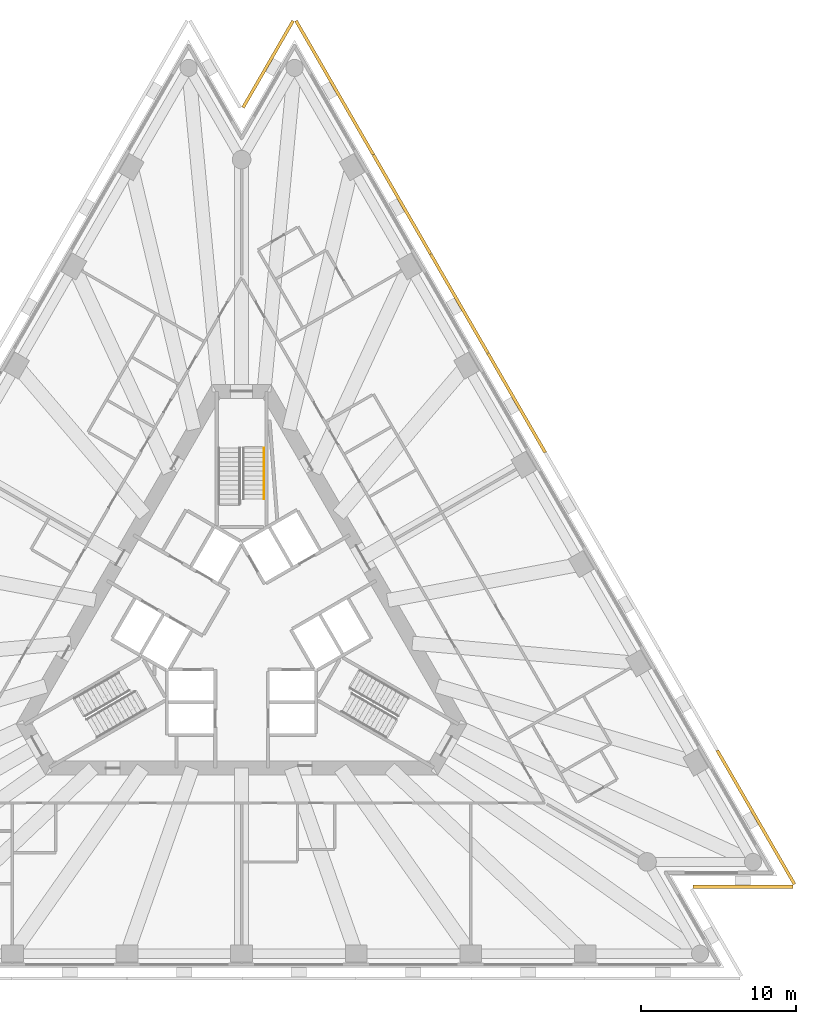
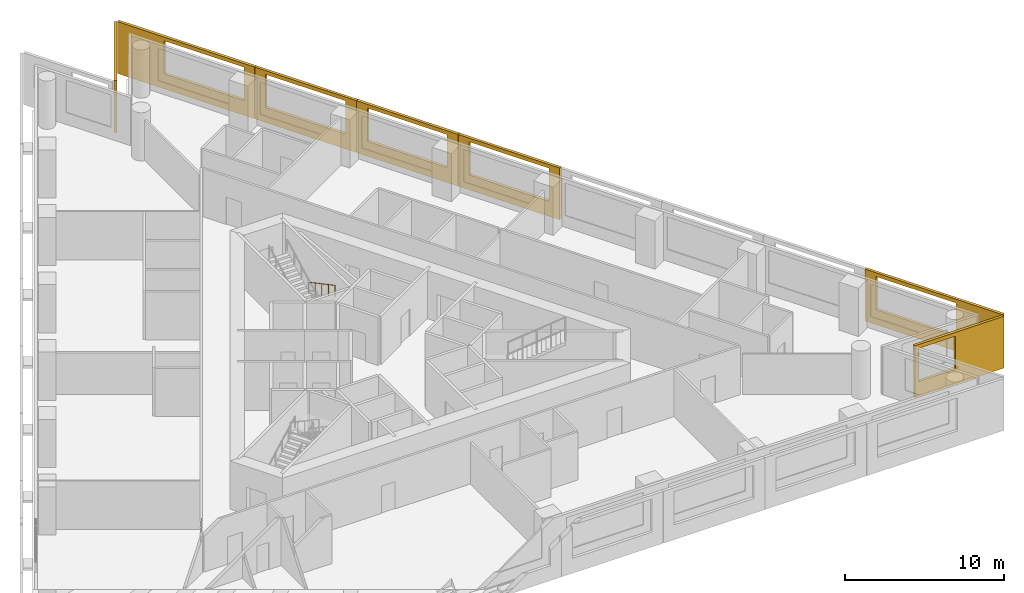
# One storey, part 11 of 11: 7 shading devices, 1 railing, 1 element without a shape of its own.
"""IFC4 building model written with IfcOpenShell, lengths in metres."""

import ifcopenshell
import ifcopenshell.guid

model = None  # the IFC model being written
_history = None  # IfcOwnerHistory: only IFC2X3 demands one
_inside = {}  # id of a spatial element -> (the spatial element, [elements in it])
_under = {}  # id of a project, library or spatial element -> (it, [spatial elements below it])
_declared = {}  # id of a project -> (the project, [libraries it declares])
_typed = {}  # id of a type object -> (the type object, [elements of that type])
_made_of = {}  # id of a material, layer set ... -> (it, [elements and type objects made of it])


def new_model(schema):
    """Start an empty IFC model of exactly this schema.

    Asked for "IFC4X3", IfcOpenShell would pick the latest addendum, in which some entities
    have other attributes; the version numbers below select the first issue.
    IFC2X3 requires an IfcOwnerHistory on every rooted entity: one is made here for all.
    """
    global model, _history
    if schema == "IFC4X3":
        model = ifcopenshell.file(schema_version=(4, 3, 0, 0))
    else:
        model = ifcopenshell.file(schema=schema)
    _inside.clear()
    _under.clear()
    _declared.clear()
    _typed.clear()
    _made_of.clear()
    _history = None
    if model.schema == "IFC2X3":
        org = make("IfcOrganization", Name="unknown")
        user = make(
            "IfcPersonAndOrganization",
            ThePerson=make("IfcPerson", FamilyName="unknown"),
            TheOrganization=org,
        )
        app = make(
            "IfcApplication",
            ApplicationDeveloper=org,
            Version="unknown",
            ApplicationFullName="unknown",
            ApplicationIdentifier="unknown",
        )
        _history = make(
            "IfcOwnerHistory",
            OwningUser=user,
            OwningApplication=app,
            ChangeAction="ADDED",
            CreationDate=0,
        )
    return model


def make(cls, **values):
    """One entity of the class cls with the attributes given. An attribute that is None is left unset."""
    return model.create_entity(
        cls, **{name: value for name, value in values.items() if value is not None}
    )


def rooted(cls, **values):
    """An entity with a GlobalId (a new one), such as an element, a storey or a relation."""
    return make(cls, GlobalId=ifcopenshell.guid.new(), OwnerHistory=_history, **values)


def si_unit(unit_type, name, prefix=None):
    """IfcSIUnit, for example si_unit("LENGTHUNIT", "METRE", prefix="MILLI")."""
    return make("IfcSIUnit", UnitType=unit_type, Prefix=prefix, Name=name)


def assignment(units):
    """IfcUnitAssignment: the units of a project."""
    return None if units is None else make("IfcUnitAssignment", Units=units)


def point(xyz):
    """IfcCartesianPoint."""
    return None if xyz is None else make("IfcCartesianPoint", Coordinates=xyz)


def direction(xyz):
    """IfcDirection."""
    return None if xyz is None else make("IfcDirection", DirectionRatios=xyz)


def frame(location, z_axis=None, x_axis=None):
    """IfcAxis2Placement3D, a coordinate frame: its origin and axes. An axis left out is left unset."""
    return make(
        "IfcAxis2Placement3D",
        Location=point(location),
        Axis=direction(z_axis),
        RefDirection=direction(x_axis),
    )


def frame_2d(location, x_axis=None):
    """IfcAxis2Placement2D, a coordinate frame in the plane: its origin and x axis."""
    return make(
        "IfcAxis2Placement2D", Location=point(location), RefDirection=direction(x_axis)
    )


def origin():
    """The frame at (0, 0, 0) with its axes left unset."""
    return frame((0.0, 0.0, 0.0))


def origin_2d():
    """The frame at (0, 0) in the plane with its x axis left unset."""
    return frame_2d((0.0, 0.0))


def place(relative_to, where):
    """IfcLocalPlacement: puts the frame where relative to a parent placement (None: the world)."""
    return make(
        "IfcLocalPlacement", PlacementRelTo=relative_to, RelativePlacement=where
    )


def context(
    kind, dimensions, precision=None, world=None, true_north=None, identifier=None
):
    """IfcGeometricRepresentationContext, for example the 3D "Model" context."""
    return make(
        "IfcGeometricRepresentationContext",
        ContextIdentifier=identifier,
        ContextType=kind,
        CoordinateSpaceDimension=dimensions,
        Precision=precision,
        WorldCoordinateSystem=world,
        TrueNorth=true_north,
    )


def subcontext(parent, identifier, kind, view, scale=None):
    """IfcGeometricRepresentationSubContext, for example "Body" below "Model"."""
    return make(
        "IfcGeometricRepresentationSubContext",
        ContextIdentifier=identifier,
        ContextType=kind,
        ParentContext=parent,
        TargetScale=scale,
        TargetView=view,
    )


def project(units=None, contexts=None):
    """IfcProject with its units and contexts."""
    return rooted(
        "IfcProject",
        Name="project",
        RepresentationContexts=contexts,
        UnitsInContext=assignment(units),
    )


def spatial(cls, under=None, at=None, **own):
    """A site, building, storey or space (cls), placed at a placement, below another one or the project."""
    s = rooted(cls, ObjectPlacement=at, **own)
    if under is not None:
        _under.setdefault(under.id(), (under, []))[1].append(s)
    return s


def polyline(points):
    """IfcPolyline through the points."""
    return make("IfcPolyline", Points=[point(p) for p in points])


def profile(cls, at=None, kind="AREA", **sizes):
    """A parametric profile (cls). Its sizes go by their IFC names, for example OverallWidth=200.0."""
    return make(cls, ProfileType=kind, Position=at, **sizes)


def circle(**sizes):
    """IfcCircleProfileDef."""
    return profile("IfcCircleProfileDef", **sizes)


def outline(outer, holes=None, kind="AREA"):
    """IfcArbitraryClosedProfileDef: a profile drawn as a closed curve; with holes, ...WithVoids."""
    if holes is None:
        return make("IfcArbitraryClosedProfileDef", ProfileType=kind, OuterCurve=outer)
    return make(
        "IfcArbitraryProfileDefWithVoids",
        ProfileType=kind,
        OuterCurve=outer,
        InnerCurves=holes,
    )


def extrude(swept, where, along, depth):
    """IfcExtrudedAreaSolid: the profile swept, set in the frame where, extruded along a direction by depth."""
    return make(
        "IfcExtrudedAreaSolid",
        SweptArea=swept,
        Position=where,
        ExtrudedDirection=direction(along),
        Depth=depth,
    )


def shape(context_of_items, identifier, shape_type, items):
    """IfcShapeRepresentation: the items that make up one representation, for example the "Body"."""
    return make(
        "IfcShapeRepresentation",
        ContextOfItems=context_of_items,
        RepresentationIdentifier=identifier,
        RepresentationType=shape_type,
        Items=items,
    )


def material(Name=None, Category=None):
    """IfcMaterial."""
    return make("IfcMaterial", Name=Name, Category=Category)


def layer(
    of_material, thickness, ventilated=None, Name=None, Category=None, Priority=None
):
    """IfcMaterialLayer: one layer of a wall or slab, of a material (None: an air gap)."""
    return make(
        "IfcMaterialLayer",
        Material=of_material,
        LayerThickness=thickness,
        IsVentilated=ventilated,
        Name=Name,
        Category=Category,
        Priority=Priority,
    )


def layer_set(layers, Name=None):
    """IfcMaterialLayerSet."""
    return make("IfcMaterialLayerSet", MaterialLayers=layers, LayerSetName=Name)


def made_of(thing, what):
    """Note that an element or type object is made of a material, layer set ...; save() writes the relation."""
    if what is not None:
        _made_of.setdefault(what.id(), (what, []))[1].append(thing)
    return thing


def type_object(cls, material=None, **own):
    """A type object (cls), such as IfcWallType, which elements share."""
    return made_of(rooted(cls, **own), material)


def element(
    cls,
    number,
    at=None,
    inside=None,
    cuts=None,
    type_object=None,
    material=None,
    context=None,
    identifier="Body",
    shape_type=None,
    held_by="IfcProductDefinitionShape",
    body=None,
    shapes=None,
    **own,
):
    """One element of the class cls, such as IfcWall. Its Tag is "e" and its number.

    at: its placement. inside: the storey or other place that contains it. cuts: it is an
    opening in that element (IfcRelVoidsElement). A single representation is given by context,
    identifier, shape_type and body (its items); several are given by shapes. held_by: the class
    of the entity that holds the representations. save() writes the other relations.
    """
    e = rooted(cls, Tag="e%d" % number, ObjectPlacement=at, **own)
    if body is not None:
        shapes = [shape(context, identifier, shape_type, body)]
    if shapes is not None:
        e.Representation = make(held_by, Representations=shapes)
    if inside is not None:
        _inside.setdefault(inside.id(), (inside, []))[1].append(e)
    if cuts is not None:
        rooted(
            "IfcRelVoidsElement", RelatingBuildingElement=cuts, RelatedOpeningElement=e
        )
    if type_object is not None:
        _typed.setdefault(type_object.id(), (type_object, []))[1].append(e)
    return made_of(e, material)


def aggregate(whole, parts):
    """IfcRelAggregates: a whole, such as a stair, and the parts it consists of."""
    return rooted("IfcRelAggregates", RelatingObject=whole, RelatedObjects=parts)


def save(model, path):
    """Write the relations noted so far, then the file.

    IfcRelAggregates (storeys below a building ...), IfcRelContainedInSpatialStructure (elements
    in a storey), IfcRelDefinesByType, IfcRelAssociatesMaterial and IfcRelDeclares: one each for
    every whole, place, type object, material and project.
    """
    for whole, parts in _under.values():
        aggregate(whole, parts)
    for where, things in _inside.values():
        rooted(
            "IfcRelContainedInSpatialStructure",
            RelatedElements=things,
            RelatingStructure=where,
        )
    for kind, things in _typed.values():
        rooted("IfcRelDefinesByType", RelatedObjects=things, RelatingType=kind)
    for what, things in _made_of.values():
        rooted("IfcRelAssociatesMaterial", RelatedObjects=things, RelatingMaterial=what)
    for by, libraries in _declared.values():
        rooted("IfcRelDeclares", RelatingContext=by, RelatedDefinitions=libraries)
    model.write(path)


model = new_model("IFC4")

# Units and contexts
model_context = context("Model", 3, precision=1e-05, world=origin(), true_north=direction((0.0, 1.0)))
body_context = subcontext(model_context, "Body", "Model", "MODEL_VIEW")
ifc_project = project(units=[si_unit("LENGTHUNIT", "METRE"), si_unit("AREAUNIT", "SQUARE_METRE"), si_unit("VOLUMEUNIT", "CUBIC_METRE"), si_unit("PLANEANGLEUNIT", "RADIAN"), si_unit("MASSUNIT", "GRAM", prefix="KILO")], contexts=[model_context])

# Site, building, storey
site_placement = place(None, origin())
site = spatial("IfcSite", under=ifc_project, at=site_placement, CompositionType="ELEMENT")
building_placement = place(site_placement, origin())
building = spatial("IfcBuilding", under=site, at=building_placement, Name="Triada Interchange Tower", CompositionType="ELEMENT")
storey_placement = place(building_placement, frame((0.0, 0.0, 63.300048828125)))
storey = spatial("IfcBuildingStorey", under=building, at=storey_placement, Name="L13", CompositionType="ELEMENT", Elevation=63.300048828125)

# Shading devices
ifc_material_1 = material(Name="Concrete C50/60 precast", Category="concrete")
ifc_layer_1 = layer(ifc_material_1, 0.02001953125, Name="Exposed aggregate face")
ifc_layer_2 = layer(ifc_material_1, 0.179931640625, Name="Precast concrete screen")
ifc_layer_set = layer_set([ifc_layer_1, ifc_layer_2], Name="Outer skin screen panel 3980")
shading_device_type = type_object("IfcShadingDeviceType", Name="Outer skin screen panel 3980", PredefinedType="SHUTTER", material=ifc_layer_set)
shading_device_1_placement = place(storey_placement, frame((29.10498046875, -16.597900390625, -0.2900390625), z_axis=(0.0, 0.0, 1.0), x_axis=(1.0, 0.0, 0.0)))
element("IfcShadingDevice", 1, at=shading_device_1_placement, inside=storey, type_object=shading_device_type, Name="Outer skin screen panel L13 20", PredefinedType="SHUTTER", context=body_context, shape_type="SweptSolid", body=[
    extrude(outline(polyline([(0.0, 0.0), (6.466064453125, 0.0), (6.466064453125, 3.97998046875), (0.0, 3.97998046875), (0.0, 0.0)]), holes=[polyline([(0.300048828125, 1.139892578125), (0.300048828125, 3.68994140625), (2.9580078125, 3.68994140625), (2.9580078125, 1.139892578125), (0.300048828125, 1.139892578125)])]), frame((0.0, 0.0, 0.0), z_axis=(0.0, -1.0, 0.0), x_axis=(1.0, 0.0, 0.0)), (0.0, 0.0, 1.0), 0.199951171875),
])
shading_device_2_placement = place(storey_placement, frame((35.575927734375, -16.589111328125, -0.2900390625), z_axis=(0.0, 0.0, 1.0), x_axis=(-0.500000141972, 0.866025321817, 0.0)))
element("IfcShadingDevice", 2, at=shading_device_2_placement, inside=storey, type_object=shading_device_type, Name="Outer skin screen panel L13 21", PredefinedType="SHUTTER", context=body_context, shape_type="SweptSolid", body=[
    extrude(outline(polyline([(0.0, 0.0), (9.9697265625, 0.0), (9.9697265625, 3.97998046875), (0.0, 3.97998046875), (0.0, 0.0)]), holes=[polyline([(3.38427734375, 1.139892578125), (3.38427734375, 3.68994140625), (9.184326171875, 3.68994140625), (9.184326171875, 1.139892578125), (3.38427734375, 1.139892578125)])]), frame((0.0, 0.0, 0.0), z_axis=(0.0, -1.0, 0.0), x_axis=(1.0, 0.0, 0.0)), (0.0, 0.0, 1.0), 0.199951171875),
])
shading_device_3_placement = place(storey_placement, frame((19.493896484375, 11.26611328125, -0.2900390625), z_axis=(0.0, 0.0, 1.0), x_axis=(-0.500011057729, 0.866019019507, 0.0)))
element("IfcShadingDevice", 3, at=shading_device_3_placement, inside=storey, type_object=shading_device_type, Name="Outer skin screen panel L13 25", PredefinedType="SHUTTER", context=body_context, shape_type="SweptSolid", body=[
    extrude(outline(polyline([(0.0, 0.0), (7.371337890625, 0.0), (7.371337890625, 3.97998046875), (0.0, 3.97998046875), (0.0, 0.0)]), holes=[polyline([(0.785400390625, 1.139892578125), (0.785400390625, 3.68994140625), (6.58544921875, 3.68994140625), (6.58544921875, 1.139892578125), (0.785400390625, 1.139892578125)])]), frame((0.0, 0.0, 0.0), z_axis=(0.0, -1.0, 0.0), x_axis=(1.0, 0.0, 0.0)), (0.0, 0.0, 1.0), 0.199951171875),
])
shading_device_4_placement = place(storey_placement, frame((15.798095703125, 17.66796875, -0.2900390625), z_axis=(0.0, 0.0, 1.0), x_axis=(-0.500021555226, 0.866012958511, 0.0)))
element("IfcShadingDevice", 4, at=shading_device_4_placement, inside=storey, type_object=shading_device_type, Name="Outer skin screen panel L13 26", PredefinedType="SHUTTER", context=body_context, shape_type="SweptSolid", body=[
    extrude(outline(polyline([(0.0, 0.0), (7.371826171875, 0.0), (7.371826171875, 3.97998046875), (0.0, 3.97998046875), (0.0, 0.0)]), holes=[polyline([(0.785888671875, 1.139892578125), (0.785888671875, 3.68994140625), (6.585693359375, 3.68994140625), (6.585693359375, 1.139892578125), (0.785888671875, 1.139892578125)])]), frame((0.0, 0.0, 0.0), z_axis=(0.0, -1.0, 0.0), x_axis=(1.0, 0.0, 0.0)), (0.0, 0.0, 1.0), 0.199951171875),
])
shading_device_5_placement = place(storey_placement, frame((12.10205078125, 24.069091796875, -0.2900390625), z_axis=(0.0, 0.0, 1.0), x_axis=(-0.500035896667, 0.866004677842, 0.0)))
element("IfcShadingDevice", 5, at=shading_device_5_placement, inside=storey, type_object=shading_device_type, Name="Outer skin screen panel L13 27", PredefinedType="SHUTTER", context=body_context, shape_type="SweptSolid", body=[
    extrude(outline(polyline([(0.0, 0.0), (7.37158203125, 0.0), (7.37158203125, 3.97998046875), (0.0, 3.97998046875), (0.0, 0.0)]), holes=[polyline([(0.7861328125, 1.139892578125), (0.7861328125, 3.68994140625), (6.586181640625, 3.68994140625), (6.586181640625, 1.139892578125), (0.7861328125, 1.139892578125)])]), frame((0.0, 0.0, 0.0), z_axis=(0.0, -1.0, 0.0), x_axis=(1.0, 0.0, 0.0)), (0.0, 0.0, 1.0), 0.199951171875),
])
shading_device_6_placement = place(storey_placement, frame((8.406005859375, 30.469970703125, -0.2900390625), z_axis=(0.0, 0.0, 1.0), x_axis=(-0.500018507784, 0.866014718047, 0.0)))
element("IfcShadingDevice", 6, at=shading_device_6_placement, inside=storey, type_object=shading_device_type, Name="Outer skin screen panel L13 28", PredefinedType="SHUTTER", context=body_context, shape_type="SweptSolid", body=[
    extrude(outline(polyline([(0.0, 0.0), (9.9697265625, 0.0), (9.9697265625, 3.97998046875), (0.0, 3.97998046875), (0.0, 0.0)]), holes=[polyline([(0.785400390625, 1.139892578125), (0.785400390625, 3.68994140625), (6.58544921875, 3.68994140625), (6.58544921875, 1.139892578125), (0.785400390625, 1.139892578125)])]), frame((0.0, 0.0, 0.0), z_axis=(0.0, -1.0, 0.0), x_axis=(1.0, 0.0, 0.0)), (0.0, 0.0, 1.0), 0.199951171875),
])
shading_device_7_placement = place(storey_placement, frame((3.410888671875, 39.10400390625, -0.2900390625), z_axis=(0.0, 0.0, 1.0), x_axis=(-0.500029706002, -0.866008252337, 0.0)))
element("IfcShadingDevice", 7, at=shading_device_7_placement, inside=storey, type_object=shading_device_type, Name="Outer skin screen panel L13 29", PredefinedType="SHUTTER", context=body_context, shape_type="SweptSolid", body=[
    extrude(outline(polyline([(0.0, 0.0), (6.46533203125, 0.0), (6.46533203125, 3.97998046875), (0.0, 3.97998046875), (0.0, 0.0)]), holes=[polyline([(3.175537109375, 1.139892578125), (3.175537109375, 3.68994140625), (6.166015625, 3.68994140625), (6.166015625, 1.139892578125), (3.175537109375, 1.139892578125)])]), frame((0.0, 0.0, 0.0), z_axis=(0.0, -1.0, 0.0), x_axis=(1.0, 0.0, 0.0)), (0.0, 0.0, 1.0), 0.199951171875),
])

# Stair, railing
ifc_material_2 = material(Name="Concrete C35/45", Category="concrete")
stair_type = type_object("IfcStairType", Name="HALF TURN STAIR 1400", PredefinedType="HALF_TURN_STAIR", material=ifc_material_2)
stair_placement = place(storey_placement, origin())
stair = element("IfcStair", 8, at=stair_placement, inside=storey, type_object=stair_type, Name="Exit stair S12-1", PredefinedType="HALF_TURN_STAIR")
ifc_material_3 = material(Name="Stainless steel 1.4301", Category="steel")
railing_type = type_object("IfcRailingType", Name="STAIR HANDRAIL 900", PredefinedType="HANDRAIL", material=ifc_material_3)
railing_placement = place(storey_placement, frame((1.449951171875, 11.60009765625, 0.159912109375)))
railing = element("IfcRailing", 9, at=railing_placement, type_object=railing_type, Name="Handrail S12-1 1W", PredefinedType="HANDRAIL", context=body_context, shape_type="SweptSolid", body=[
    extrude(circle(Radius=0.02392578125, at=origin_2d()), frame((0.0, 0.0, 0.8759765625), z_axis=(0.0, -0.882354748157, 0.47058484719), x_axis=(1.0, 0.0, 0.0)), (0.0, 0.0, 1.0), 3.739990234375),
    extrude(circle(Radius=0.02099609375, at=origin_2d()), origin(), (0.0, 0.0, 1.0), 0.851806640625),
    extrude(circle(Radius=0.02099609375, at=origin_2d()), frame((0.0, -0.824951171875, 0.43994140625)), (0.0, 0.0, 1.0), 0.851806640625),
    extrude(circle(Radius=0.02099609375, at=origin_2d()), frame((0.0, -1.64990234375, 0.8798828125)), (0.0, 0.0, 1.0), 0.851806640625),
    extrude(circle(Radius=0.02099609375, at=origin_2d()), frame((0.0, -2.47509765625, 1.320068359375)), (0.0, 0.0, 1.0), 0.851806640625),
    extrude(circle(Radius=0.02099609375, at=origin_2d()), frame((0.0, -3.300048828125, 1.760009765625)), (0.0, 0.0, 1.0), 0.851806640625),
])
aggregate(stair, [railing])

save(model, "model.ifc")
